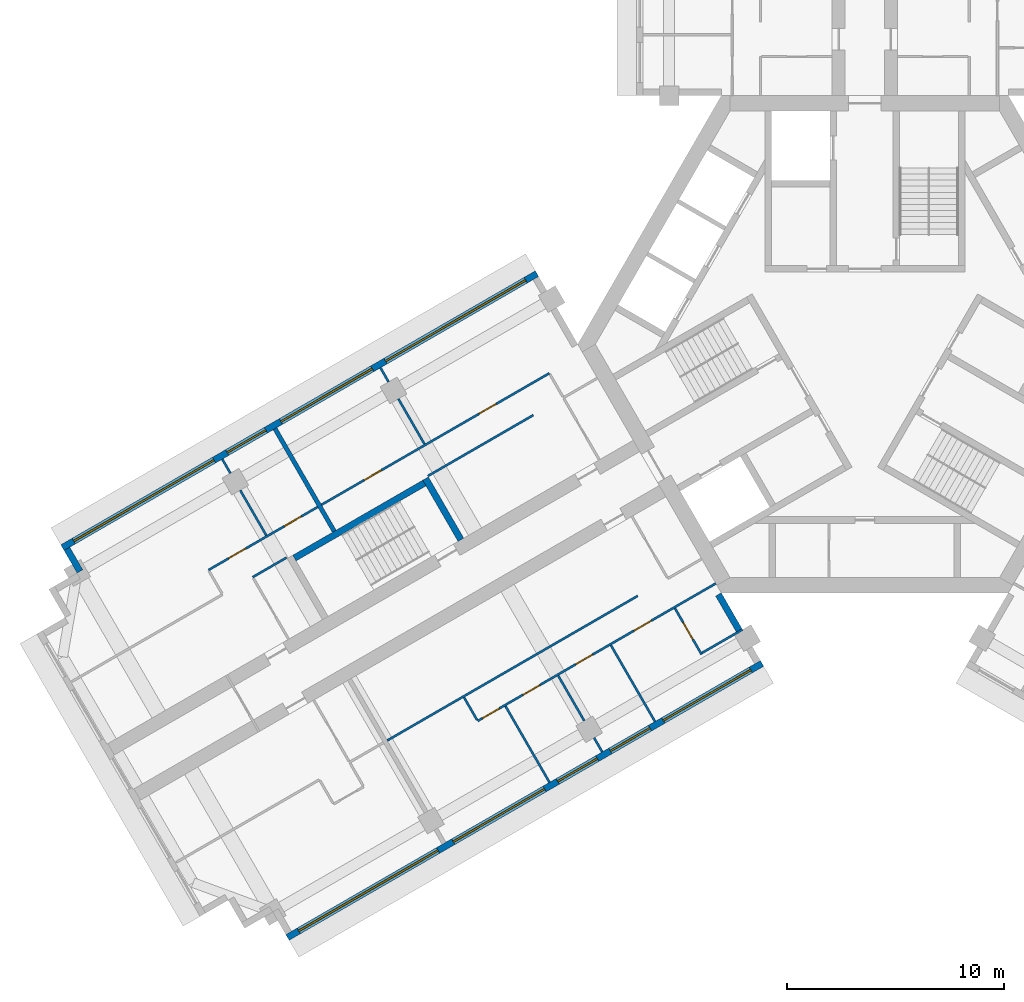
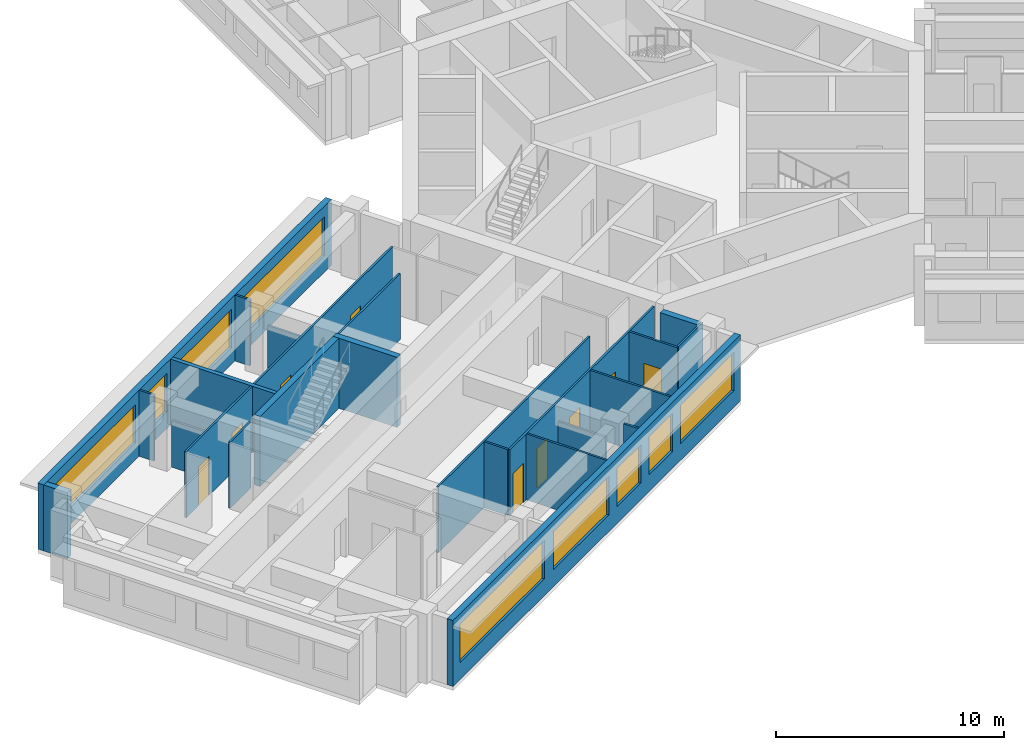
# One storey, part 3 of 10: 24 walls, 9 doors, 9 windows, 18 openings.
"""IFC4 building model written with IfcOpenShell, lengths in metres."""

from ifc_helpers import new_model, si_unit, direction, frame, frame_2d, origin, place, context, subcontext, project, spatial, rectangle, extrude, material, layer, layer_set, type_object, element, fill, save


model = new_model("IFC4")

# Units and contexts
model_context = context("Model", 3, precision=1e-05, world=origin(), true_north=direction((0.0, 1.0)))
body_context = subcontext(model_context, "Body", "Model", "MODEL_VIEW")
ifc_project = project(units=[si_unit("LENGTHUNIT", "METRE"), si_unit("AREAUNIT", "SQUARE_METRE"), si_unit("VOLUMEUNIT", "CUBIC_METRE"), si_unit("PLANEANGLEUNIT", "RADIAN"), si_unit("MASSUNIT", "GRAM", prefix="KILO")], contexts=[model_context])

# Site, building, storey
site_placement = place(None, origin())
site = spatial("IfcSite", under=ifc_project, at=site_placement, CompositionType="ELEMENT")
building_placement = place(site_placement, origin())
building = spatial("IfcBuilding", under=site, at=building_placement, Name="Impinga Residences", CompositionType="ELEMENT")
storey_placement = place(building_placement, frame((0.0, 0.0, 192.25)))
storey = spatial("IfcBuildingStorey", under=building, at=storey_placement, Name="L47", CompositionType="ELEMENT", Elevation=192.25)

# Wall
ifc_material_1 = material(Name="Terracotta rainscreen on blockwork", Category="masonry")
ifc_layer_1 = layer(ifc_material_1, 0.300048828125)
ifc_layer_set_1 = layer_set([ifc_layer_1], Name="EW1 external wall, terracotta rainscreen on blockwork 300")
wall_type_1 = type_object("IfcWallType", Name="EW1 external wall, terracotta rainscreen on blockwork 300", PredefinedType="SOLIDWALL", material=ifc_layer_set_1)
wall_1_placement = place(storey_placement, frame((-36.093994140625, -10.446533203125, 0.0), z_axis=(0.0, 0.0, 1.0), x_axis=(-0.499880961361, 0.866094119867, 0.0)))
element("IfcWall", 1, at=wall_1_placement, inside=storey, type_object=wall_type_1, Name="External wall EW1 L47", PredefinedType="SOLIDWALL", context=body_context, shape_type="SweptSolid", body=[
    extrude(rectangle(XDim=1.199951171875, YDim=0.300048828125, at=frame_2d((0.60009765625, 0.0))), origin(), (0.0, 0.0, 1.0), 3.530029296875),
])

# Wall, openings, windows
wall_2_placement = place(storey_placement, frame((-36.89892578125, -9.352294921875, 0.0), z_axis=(0.0, 0.0, 1.0), x_axis=(0.86602925447, 0.499993330357, 0.0)))
wall_2 = element("IfcWall", 2, at=wall_2_placement, inside=storey, type_object=wall_type_1, Name="External wall EW1 L47", PredefinedType="SOLIDWALL", context=body_context, shape_type="SweptSolid", body=[
    extrude(rectangle(XDim=25.199951171875, YDim=0.300048828125, at=frame_2d((12.60009765625, 0.0))), origin(), (0.0, 0.0, 1.0), 3.530029296875),
])
opening_1_placement = place(wall_2_placement, frame((0.60009765625, 0.0, 0.89990234375)))
opening_1 = element("IfcOpeningElement", 3, at=opening_1_placement, cuts=wall_2, Name="Opening W7", PredefinedType="OPENING", context=body_context, shape_type="SweptSolid", body=[
    extrude(rectangle(XDim=7.449951171875, YDim=2.050048828125, at=frame_2d((3.72509765625, 1.02490234375))), frame((0.0, 0.159912109375, 0.0), z_axis=(0.0, -1.0, 0.0), x_axis=(1.0, 0.0, 0.0)), (0.0, 0.0, 1.0), 0.320068359375),
])
opening_2_placement = place(wall_2_placement, frame((8.75, 0.0, 0.89990234375)))
opening_2 = element("IfcOpeningElement", 4, at=opening_2_placement, cuts=wall_2, Name="Opening W14", PredefinedType="OPENING", context=body_context, shape_type="SweptSolid", body=[
    extrude(rectangle(XDim=2.050048828125, YDim=2.050048828125, at=frame_2d((1.02490234375, 1.02490234375))), frame((0.0, 0.159912109375, 0.0), z_axis=(0.0, -1.0, 0.0), x_axis=(1.0, 0.0, 0.0)), (0.0, 0.0, 1.0), 0.320068359375),
])
opening_3_placement = place(wall_2_placement, frame((11.60009765625, 0.0, 0.89990234375)))
opening_3 = element("IfcOpeningElement", 5, at=opening_3_placement, cuts=wall_2, Name="Opening W6", PredefinedType="OPENING", context=body_context, shape_type="SweptSolid", body=[
    extrude(rectangle(XDim=4.85009765625, YDim=2.050048828125, at=frame_2d((2.425048828125, 1.02490234375))), frame((0.0, 0.159912109375, 0.0), z_axis=(0.0, -1.0, 0.0), x_axis=(1.0, 0.0, 0.0)), (0.0, 0.0, 1.0), 0.320068359375),
])
opening_4_placement = place(wall_2_placement, frame((17.14990234375, 0.0, 0.89990234375)))
opening_4 = element("IfcOpeningElement", 6, at=opening_4_placement, cuts=wall_2, Name="Opening W7", PredefinedType="OPENING", context=body_context, shape_type="SweptSolid", body=[
    extrude(rectangle(XDim=7.449951171875, YDim=2.050048828125, at=frame_2d((3.72509765625, 1.02490234375))), frame((0.0, 0.159912109375, 0.0), z_axis=(0.0, -1.0, 0.0), x_axis=(1.0, 0.0, 0.0)), (0.0, 0.0, 1.0), 0.320068359375),
])
ifc_material_2 = material(Name="Aluminium window, clear double glazing", Category="aluminium")
window_type_1 = type_object("IfcWindowType", Name="W14 ribbon window 2050x2050", PartitioningType="SINGLE_PANEL", PredefinedType="WINDOW", material=ifc_material_2)
window_1_placement = place(opening_2_placement, origin())
window_1 = element("IfcWindow", 7, at=window_1_placement, inside=storey, type_object=window_type_1, Name="Window L47", OverallHeight=2.050048828125, OverallWidth=2.050048828125, PartitioningType="SINGLE_PANEL", PredefinedType="WINDOW", context=body_context, shape_type="SweptSolid", body=[
    extrude(rectangle(XDim=2.050048828125, YDim=2.050048828125, at=frame_2d((1.02490234375, 1.02490234375))), frame((0.0, 0.030029296875, 0.0), z_axis=(0.0, -1.0, 0.0), x_axis=(1.0, 0.0, 0.0)), (0.0, 0.0, 1.0), 0.06005859375),
])
fill(opening_2, window_1)
window_type_2 = type_object("IfcWindowType", Name="W6 ribbon window 4850x2050", PartitioningType="SINGLE_PANEL", PredefinedType="WINDOW", material=ifc_material_2)
window_2_placement = place(opening_3_placement, origin())
window_2 = element("IfcWindow", 8, at=window_2_placement, inside=storey, type_object=window_type_2, Name="Window L47", OverallHeight=2.050048828125, OverallWidth=4.85009765625, PartitioningType="SINGLE_PANEL", PredefinedType="WINDOW", context=body_context, shape_type="SweptSolid", body=[
    extrude(rectangle(XDim=4.85009765625, YDim=2.050048828125, at=frame_2d((2.425048828125, 1.02490234375))), frame((0.0, 0.030029296875, 0.0), z_axis=(0.0, -1.0, 0.0), x_axis=(1.0, 0.0, 0.0)), (0.0, 0.0, 1.0), 0.06005859375),
])
fill(opening_3, window_2)
window_type_3 = type_object("IfcWindowType", Name="W7 ribbon window 7450x2050", PartitioningType="SINGLE_PANEL", PredefinedType="WINDOW", material=ifc_material_2)
window_3_placement = place(opening_1_placement, origin())
window_3 = element("IfcWindow", 9, at=window_3_placement, inside=storey, type_object=window_type_3, Name="Window L47", OverallHeight=2.050048828125, OverallWidth=7.449951171875, PartitioningType="SINGLE_PANEL", PredefinedType="WINDOW", context=body_context, shape_type="SweptSolid", body=[
    extrude(rectangle(XDim=7.449951171875, YDim=2.050048828125, at=frame_2d((3.72509765625, 1.02490234375))), frame((0.0, 0.030029296875, 0.0), z_axis=(0.0, -1.0, 0.0), x_axis=(1.0, 0.0, 0.0)), (0.0, 0.0, 1.0), 0.06005859375),
])
fill(opening_1, window_3)
window_4_placement = place(opening_4_placement, origin())
window_4 = element("IfcWindow", 10, at=window_4_placement, inside=storey, type_object=window_type_3, Name="Window L47", OverallHeight=2.050048828125, OverallWidth=7.449951171875, PartitioningType="SINGLE_PANEL", PredefinedType="WINDOW", context=body_context, shape_type="SweptSolid", body=[
    extrude(rectangle(XDim=7.449951171875, YDim=2.050048828125, at=frame_2d((3.72509765625, 1.02490234375))), frame((0.0, 0.030029296875, 0.0), z_axis=(0.0, -1.0, 0.0), x_axis=(1.0, 0.0, 0.0)), (0.0, 0.0, 1.0), 0.06005859375),
])
fill(opening_4, window_4)

# Wall
wall_3_placement = place(storey_placement, frame((-6.72998046875, -11.506591796875, 0.0), z_axis=(0.0, 0.0, 1.0), x_axis=(0.500043961785, -0.866000020948, 0.0)))
element("IfcWall", 11, at=wall_3_placement, inside=storey, type_object=wall_type_1, Name="External wall EW1 L47", PredefinedType="SOLIDWALL", context=body_context, shape_type="SweptSolid", body=[
    extrude(rectangle(XDim=1.949951171875, YDim=0.300048828125, at=frame_2d((0.97509765625, 0.0))), origin(), (0.0, 0.0, 1.0), 3.530029296875),
])

# Wall, openings, windows
wall_4_placement = place(storey_placement, frame((-4.72509765625, -14.67919921875, 0.0), z_axis=(0.0, 0.0, 1.0), x_axis=(-0.866026832479, -0.499997525421, 0.0)))
wall_4 = element("IfcWall", 12, at=wall_4_placement, inside=storey, type_object=wall_type_1, Name="External wall EW1 L47", PredefinedType="SOLIDWALL", context=body_context, shape_type="SweptSolid", body=[
    extrude(rectangle(XDim=25.199951171875, YDim=0.300048828125, at=frame_2d((12.60009765625, 0.0))), origin(), (0.0, 0.0, 1.0), 3.530029296875),
])
opening_5_placement = place(wall_4_placement, frame((0.60009765625, 0.0, 0.89990234375)))
opening_5 = element("IfcOpeningElement", 13, at=opening_5_placement, cuts=wall_4, Name="Opening W10", PredefinedType="OPENING", context=body_context, shape_type="SweptSolid", body=[
    extrude(rectangle(XDim=4.64990234375, YDim=2.050048828125, at=frame_2d((2.324951171875, 1.02490234375))), frame((0.0, 0.159912109375, 0.0), z_axis=(0.0, -1.0, 0.0), x_axis=(1.0, 0.0, 0.0)), (0.0, 0.0, 1.0), 0.320068359375),
])
opening_6_placement = place(wall_4_placement, frame((5.949951171875, 0.0, 0.89990234375)))
opening_6 = element("IfcOpeningElement", 14, at=opening_6_placement, cuts=wall_4, Name="Opening W9", PredefinedType="OPENING", context=body_context, shape_type="SweptSolid", body=[
    extrude(rectangle(XDim=2.10009765625, YDim=2.050048828125, at=frame_2d((1.050048828125, 1.02490234375))), frame((0.0, 0.159912109375, 0.0), z_axis=(0.0, -1.0, 0.0), x_axis=(1.0, 0.0, 0.0)), (0.0, 0.0, 1.0), 0.320068359375),
])
opening_7_placement = place(wall_4_placement, frame((8.75, 0.0, 0.89990234375)))
opening_7 = element("IfcOpeningElement", 15, at=opening_7_placement, cuts=wall_4, Name="Opening W9", PredefinedType="OPENING", context=body_context, shape_type="SweptSolid", body=[
    extrude(rectangle(XDim=2.10009765625, YDim=2.050048828125, at=frame_2d((1.050048828125, 1.02490234375))), frame((0.0, 0.159912109375, 0.0), z_axis=(0.0, -1.0, 0.0), x_axis=(1.0, 0.0, 0.0)), (0.0, 0.0, 1.0), 0.320068359375),
])
opening_8_placement = place(wall_4_placement, frame((11.550048828125, 0.0, 0.89990234375)))
opening_8 = element("IfcOpeningElement", 16, at=opening_8_placement, cuts=wall_4, Name="Opening W6", PredefinedType="OPENING", context=body_context, shape_type="SweptSolid", body=[
    extrude(rectangle(XDim=4.85009765625, YDim=2.050048828125, at=frame_2d((2.425048828125, 1.02490234375))), frame((0.0, 0.159912109375, 0.0), z_axis=(0.0, -1.0, 0.0), x_axis=(1.0, 0.0, 0.0)), (0.0, 0.0, 1.0), 0.320068359375),
])
opening_9_placement = place(wall_4_placement, frame((17.199951171875, 0.0, 0.89990234375)))
opening_9 = element("IfcOpeningElement", 17, at=opening_9_placement, cuts=wall_4, Name="Opening W12", PredefinedType="OPENING", context=body_context, shape_type="SweptSolid", body=[
    extrude(rectangle(XDim=7.39990234375, YDim=2.050048828125, at=frame_2d((3.699951171875, 1.02490234375))), frame((0.0, 0.159912109375, 0.0), z_axis=(0.0, -1.0, 0.0), x_axis=(1.0, 0.0, 0.0)), (0.0, 0.0, 1.0), 0.320068359375),
])
window_type_4 = type_object("IfcWindowType", Name="W10 ribbon window 4650x2050", PartitioningType="SINGLE_PANEL", PredefinedType="WINDOW", material=ifc_material_2)
window_5_placement = place(opening_5_placement, origin())
window_5 = element("IfcWindow", 18, at=window_5_placement, inside=storey, type_object=window_type_4, Name="Window L47", OverallHeight=2.050048828125, OverallWidth=4.64990234375, PartitioningType="SINGLE_PANEL", PredefinedType="WINDOW", context=body_context, shape_type="SweptSolid", body=[
    extrude(rectangle(XDim=4.64990234375, YDim=2.050048828125, at=frame_2d((2.324951171875, 1.02490234375))), frame((0.0, 0.030029296875, 0.0), z_axis=(0.0, -1.0, 0.0), x_axis=(1.0, 0.0, 0.0)), (0.0, 0.0, 1.0), 0.06005859375),
])
fill(opening_5, window_5)
window_type_5 = type_object("IfcWindowType", Name="W12 ribbon window 7400x2050", PartitioningType="SINGLE_PANEL", PredefinedType="WINDOW", material=ifc_material_2)
window_6_placement = place(opening_9_placement, origin())
window_6 = element("IfcWindow", 19, at=window_6_placement, inside=storey, type_object=window_type_5, Name="Window L47", OverallHeight=2.050048828125, OverallWidth=7.39990234375, PartitioningType="SINGLE_PANEL", PredefinedType="WINDOW", context=body_context, shape_type="SweptSolid", body=[
    extrude(rectangle(XDim=7.39990234375, YDim=2.050048828125, at=frame_2d((3.699951171875, 1.02490234375))), frame((0.0, 0.030029296875, 0.0), z_axis=(0.0, -1.0, 0.0), x_axis=(1.0, 0.0, 0.0)), (0.0, 0.0, 1.0), 0.06005859375),
])
fill(opening_9, window_6)
window_7_placement = place(opening_8_placement, origin())
window_7 = element("IfcWindow", 20, at=window_7_placement, inside=storey, type_object=window_type_2, Name="Window L47", OverallHeight=2.050048828125, OverallWidth=4.85009765625, PartitioningType="SINGLE_PANEL", PredefinedType="WINDOW", context=body_context, shape_type="SweptSolid", body=[
    extrude(rectangle(XDim=4.85009765625, YDim=2.050048828125, at=frame_2d((2.425048828125, 1.02490234375))), frame((0.0, 0.030029296875, 0.0), z_axis=(0.0, -1.0, 0.0), x_axis=(1.0, 0.0, 0.0)), (0.0, 0.0, 1.0), 0.06005859375),
])
fill(opening_8, window_7)
window_type_6 = type_object("IfcWindowType", Name="W9 ribbon window 2100x2050", PartitioningType="SINGLE_PANEL", PredefinedType="WINDOW", material=ifc_material_2)
window_8_placement = place(opening_6_placement, origin())
window_8 = element("IfcWindow", 21, at=window_8_placement, inside=storey, type_object=window_type_6, Name="Window L47", OverallHeight=2.050048828125, OverallWidth=2.10009765625, PartitioningType="SINGLE_PANEL", PredefinedType="WINDOW", context=body_context, shape_type="SweptSolid", body=[
    extrude(rectangle(XDim=2.10009765625, YDim=2.050048828125, at=frame_2d((1.050048828125, 1.02490234375))), frame((0.0, 0.030029296875, 0.0), z_axis=(0.0, -1.0, 0.0), x_axis=(1.0, 0.0, 0.0)), (0.0, 0.0, 1.0), 0.06005859375),
])
fill(opening_6, window_8)
window_9_placement = place(opening_7_placement, origin())
window_9 = element("IfcWindow", 22, at=window_9_placement, inside=storey, type_object=window_type_6, Name="Window L47", OverallHeight=2.050048828125, OverallWidth=2.10009765625, PartitioningType="SINGLE_PANEL", PredefinedType="WINDOW", context=body_context, shape_type="SweptSolid", body=[
    extrude(rectangle(XDim=2.10009765625, YDim=2.050048828125, at=frame_2d((1.050048828125, 1.02490234375))), frame((0.0, 0.030029296875, 0.0), z_axis=(0.0, -1.0, 0.0), x_axis=(1.0, 0.0, 0.0)), (0.0, 0.0, 1.0), 0.06005859375),
])
fill(opening_7, window_9)

# Wall
ifc_material_3 = material(Name="Gypsum board on steel studs", Category="steel")
ifc_layer_2 = layer(ifc_material_3, 0.10009765625)
ifc_layer_set_2 = layer_set([ifc_layer_2], Name="Gypsum board on steel studs")
wall_type_2 = type_object("IfcWallType", Name="IP1 partition 100", PredefinedType="PARTITIONING", material=ifc_layer_set_2)
wall_5_placement = place(storey_placement, frame((-10.444580078125, -11.57275390625, 0.0), z_axis=(0.0, 0.0, 1.0), x_axis=(-0.866027239912, -0.49999681972, 0.0)))
element("IfcWall", 23, at=wall_5_placement, inside=storey, type_object=wall_type_2, Name="Partition L47-WA1:DIV1", PredefinedType="PARTITIONING", context=body_context, shape_type="SweptSolid", body=[
    extrude(rectangle(XDim=13.2998046875, YDim=0.10009765625, at=frame_2d((6.64990234375, 0.0))), origin(), (0.0, 0.0, 1.0), 3.530029296875),
])

# Wall, openings, doors
wall_6_placement = place(storey_placement, frame((-6.85009765625, -10.99853515625, 0.0), z_axis=(0.0, 0.0, 1.0), x_axis=(-0.866024244478, -0.500002007972, 0.0)))
wall_6 = element("IfcWall", 24, at=wall_6_placement, inside=storey, type_object=wall_type_2, Name="Partition L47-WA1:STRIP", PredefinedType="PARTITIONING", context=body_context, shape_type="SweptSolid", body=[
    extrude(rectangle(XDim=12.64990234375, YDim=0.10009765625, at=frame_2d((6.324951171875, 0.0))), origin(), (0.0, 0.0, 1.0), 3.530029296875),
])
opening_10_placement = place(wall_6_placement, frame((3.449951171875, 0.0, 0.0)))
opening_10 = element("IfcOpeningElement", 25, at=opening_10_placement, cuts=wall_6, Name="Opening D2", PredefinedType="OPENING", context=body_context, shape_type="SweptSolid", body=[
    extrude(rectangle(XDim=0.89990234375, YDim=2.10009765625, at=frame_2d((0.449951171875, 1.050048828125))), frame((0.0, 0.06005859375, 0.0), z_axis=(0.0, -1.0, 0.0), x_axis=(1.0, 0.0, 0.0)), (0.0, 0.0, 1.0), 0.1201171875),
])
opening_11_placement = place(wall_6_placement, frame((6.550048828125, 0.0, 0.0)))
opening_11 = element("IfcOpeningElement", 26, at=opening_11_placement, cuts=wall_6, Name="Opening D2", PredefinedType="OPENING", context=body_context, shape_type="SweptSolid", body=[
    extrude(rectangle(XDim=0.89990234375, YDim=2.10009765625, at=frame_2d((0.449951171875, 1.050048828125))), frame((0.0, 0.06005859375, 0.0), z_axis=(0.0, -1.0, 0.0), x_axis=(1.0, 0.0, 0.0)), (0.0, 0.0, 1.0), 0.1201171875),
])
opening_12_placement = place(wall_6_placement, frame((9.35009765625, 0.0, 0.0)))
opening_12 = element("IfcOpeningElement", 27, at=opening_12_placement, cuts=wall_6, Name="Opening D2", PredefinedType="OPENING", context=body_context, shape_type="SweptSolid", body=[
    extrude(rectangle(XDim=0.89990234375, YDim=2.10009765625, at=frame_2d((0.449951171875, 1.050048828125))), frame((0.0, 0.06005859375, 0.0), z_axis=(0.0, -1.0, 0.0), x_axis=(1.0, 0.0, 0.0)), (0.0, 0.0, 1.0), 0.1201171875),
])
opening_13_placement = place(wall_6_placement, frame((11.5, 0.0, 0.0)))
opening_13 = element("IfcOpeningElement", 28, at=opening_13_placement, cuts=wall_6, Name="Opening D2", PredefinedType="OPENING", context=body_context, shape_type="SweptSolid", body=[
    extrude(rectangle(XDim=0.89990234375, YDim=2.10009765625, at=frame_2d((0.449951171875, 1.050048828125))), frame((0.0, 0.06005859375, 0.0), z_axis=(0.0, -1.0, 0.0), x_axis=(1.0, 0.0, 0.0)), (0.0, 0.0, 1.0), 0.1201171875),
])
ifc_material_4 = material(Name="Timber door set", Category="wood")
door_type = type_object("IfcDoorType", Name="D2 internal door 900x2100", OperationType="SINGLE_SWING_LEFT", PredefinedType="DOOR", material=ifc_material_4)
door_1_placement = place(opening_10_placement, origin())
door_1 = element("IfcDoor", 29, at=door_1_placement, inside=storey, type_object=door_type, Name="Apartment L47-WA1 room door", OperationType="SINGLE_SWING_LEFT", OverallHeight=2.10009765625, OverallWidth=0.89990234375, PredefinedType="DOOR", context=body_context, shape_type="SweptSolid", body=[
    extrude(rectangle(XDim=0.89990234375, YDim=2.10009765625, at=frame_2d((0.449951171875, 1.050048828125))), frame((0.0, 0.02490234375, 0.0), z_axis=(0.0, -1.0, 0.0), x_axis=(1.0, 0.0, 0.0)), (0.0, 0.0, 1.0), 0.050048828125),
])
fill(opening_10, door_1)
door_2_placement = place(opening_11_placement, origin())
door_2 = element("IfcDoor", 30, at=door_2_placement, inside=storey, type_object=door_type, Name="Apartment L47-WA1 room door", OperationType="SINGLE_SWING_RIGHT", OverallHeight=2.10009765625, OverallWidth=0.89990234375, PredefinedType="DOOR", context=body_context, shape_type="SweptSolid", body=[
    extrude(rectangle(XDim=0.89990234375, YDim=2.10009765625, at=frame_2d((0.449951171875, 1.050048828125))), frame((0.0, 0.02490234375, 0.0), z_axis=(0.0, -1.0, 0.0), x_axis=(1.0, 0.0, 0.0)), (0.0, 0.0, 1.0), 0.050048828125),
])
fill(opening_11, door_2)
door_3_placement = place(opening_12_placement, origin())
door_3 = element("IfcDoor", 31, at=door_3_placement, inside=storey, type_object=door_type, Name="Apartment L47-WA1 room door", OperationType="SINGLE_SWING_RIGHT", OverallHeight=2.10009765625, OverallWidth=0.89990234375, PredefinedType="DOOR", context=body_context, shape_type="SweptSolid", body=[
    extrude(rectangle(XDim=0.89990234375, YDim=2.10009765625, at=frame_2d((0.449951171875, 1.050048828125))), frame((0.0, 0.02490234375, 0.0), z_axis=(0.0, -1.0, 0.0), x_axis=(1.0, 0.0, 0.0)), (0.0, 0.0, 1.0), 0.050048828125),
])
fill(opening_12, door_3)
door_4_placement = place(opening_13_placement, origin())
door_4 = element("IfcDoor", 32, at=door_4_placement, inside=storey, type_object=door_type, Name="Apartment L47-WA1 room door", OperationType="SINGLE_SWING_RIGHT", OverallHeight=2.10009765625, OverallWidth=0.89990234375, PredefinedType="DOOR", context=body_context, shape_type="SweptSolid", body=[
    extrude(rectangle(XDim=0.89990234375, YDim=2.10009765625, at=frame_2d((0.449951171875, 1.050048828125))), frame((0.0, 0.02490234375, 0.0), z_axis=(0.0, -1.0, 0.0), x_axis=(1.0, 0.0, 0.0)), (0.0, 0.0, 1.0), 0.050048828125),
])
fill(opening_13, door_4)

# Walls
wall_7_placement = place(storey_placement, frame((-18.43017578125, -16.240966796875, 0.0), z_axis=(0.0, 0.0, 1.0), x_axis=(0.499880961361, -0.866094119867, 0.0)))
element("IfcWall", 33, at=wall_7_placement, inside=storey, type_object=wall_type_2, Name="Partition L47-WA1:SE1", PredefinedType="PARTITIONING", context=body_context, shape_type="SweptSolid", body=[
    extrude(rectangle(XDim=1.199951171875, YDim=0.10009765625, at=frame_2d((0.60009765625, 0.0))), origin(), (0.0, 0.0, 1.0), 3.530029296875),
])
wall_8_placement = place(storey_placement, frame((-11.6748046875, -13.841796875, 0.0), z_axis=(0.0, 0.0, 1.0), x_axis=(0.500035537042, -0.866004885491, 0.0)))
element("IfcWall", 34, at=wall_8_placement, inside=storey, type_object=wall_type_2, Name="Partition L47-WA1:OB1", PredefinedType="PARTITIONING", context=body_context, shape_type="SweptSolid", body=[
    extrude(rectangle(XDim=4.050048828125, YDim=0.10009765625, at=frame_2d((2.02490234375, 0.0))), origin(), (0.0, 0.0, 1.0), 3.530029296875),
])
wall_9_placement = place(storey_placement, frame((-14.099609375, -15.241943359375, 0.0), z_axis=(0.0, 0.0, 1.0), x_axis=(0.500001309137, -0.866024647952, 0.0)))
element("IfcWall", 35, at=wall_9_placement, inside=storey, type_object=wall_type_2, Name="Partition L47-WA1:OB2", PredefinedType="PARTITIONING", context=body_context, shape_type="SweptSolid", body=[
    extrude(rectangle(XDim=2.39990234375, YDim=0.10009765625, at=frame_2d((1.199951171875, 0.0))), origin(), (0.0, 0.0, 1.0), 2.47998046875),
])
wall_10_placement = place(storey_placement, frame((-12.44970703125, -18.099609375, 0.0), z_axis=(0.0, 0.0, 1.0), x_axis=(0.499919672301, -0.866071776036, 0.0)))
element("IfcWall", 36, at=wall_10_placement, inside=storey, type_object=wall_type_2, Name="Partition L47-WA1:OB2b", PredefinedType="PARTITIONING", context=body_context, shape_type="SweptSolid", body=[
    extrude(rectangle(XDim=0.75, YDim=0.10009765625, at=frame_2d((0.375, 0.0))), origin(), (0.0, 0.0, 1.0), 3.530029296875),
])
wall_11_placement = place(storey_placement, frame((-16.5244140625, -16.641845703125, 0.0), z_axis=(0.0, 0.0, 1.0), x_axis=(0.499990325971, -0.866030989016, 0.0)))
element("IfcWall", 37, at=wall_11_placement, inside=storey, type_object=wall_type_2, Name="Partition L47-WA1:OB3", PredefinedType="PARTITIONING", context=body_context, shape_type="SweptSolid", body=[
    extrude(rectangle(XDim=4.0498046875, YDim=0.10009765625, at=frame_2d((2.02490234375, 0.0))), origin(), (0.0, 0.0, 1.0), 3.530029296875),
])

# Wall, opening, door
wall_12_placement = place(storey_placement, frame((-8.730224609375, -12.141845703125, 0.0), z_axis=(0.0, 0.0, 1.0), x_axis=(0.499943856944, -0.866057815567, 0.0)))
wall_12 = element("IfcWall", 38, at=wall_12_placement, inside=storey, type_object=wall_type_2, Name="Partition L47-WA1:EN1", PredefinedType="PARTITIONING", context=body_context, shape_type="SweptSolid", body=[
    extrude(rectangle(XDim=2.449951171875, YDim=0.10009765625, at=frame_2d((1.22509765625, 0.0))), origin(), (0.0, 0.0, 1.0), 3.530029296875),
])
opening_14_placement = place(wall_12_placement, frame((0.75, 0.0, 0.0)))
opening_14 = element("IfcOpeningElement", 39, at=opening_14_placement, cuts=wall_12, Name="Opening D2", PredefinedType="OPENING", context=body_context, shape_type="SweptSolid", body=[
    extrude(rectangle(XDim=0.89990234375, YDim=2.10009765625, at=frame_2d((0.449951171875, 1.050048828125))), frame((0.0, 0.06005859375, 0.0), z_axis=(0.0, -1.0, 0.0), x_axis=(1.0, 0.0, 0.0)), (0.0, 0.0, 1.0), 0.1201171875),
])
door_5_placement = place(opening_14_placement, origin())
door_5 = element("IfcDoor", 40, at=door_5_placement, inside=storey, type_object=door_type, Name="Apartment L47-WA1 en-suite door", OperationType="SINGLE_SWING_LEFT", OverallHeight=2.10009765625, OverallWidth=0.89990234375, PredefinedType="DOOR", context=body_context, shape_type="SweptSolid", body=[
    extrude(rectangle(XDim=0.89990234375, YDim=2.10009765625, at=frame_2d((0.449951171875, 1.050048828125))), frame((0.0, 0.02490234375, 0.0), z_axis=(0.0, -1.0, 0.0), x_axis=(1.0, 0.0, 0.0)), (0.0, 0.0, 1.0), 0.050048828125),
])
fill(opening_14, door_5)

# Walls
wall_13_placement = place(storey_placement, frame((-5.625, -13.120361328125, 0.0), z_axis=(0.0, 0.0, 1.0), x_axis=(-0.866047553582, -0.499961633463, 0.0)))
element("IfcWall", 41, at=wall_13_placement, inside=storey, type_object=wall_type_2, Name="Partition L47-WA1:EN2", PredefinedType="PARTITIONING", context=body_context, shape_type="SweptSolid", body=[
    extrude(rectangle(XDim=2.150146484375, YDim=0.10009765625, at=frame_2d((1.0751953125, 0.0))), origin(), (0.0, 0.0, 1.0), 3.530029296875),
])
wall_14_placement = place(storey_placement, frame((-15.244384765625, -3.2587890625, 0.0), z_axis=(0.0, 0.0, 1.0), x_axis=(-0.866026594901, -0.49999793692, 0.0)))
element("IfcWall", 42, at=wall_14_placement, inside=storey, type_object=wall_type_2, Name="Partition L47-WF1:DIV1", PredefinedType="PARTITIONING", context=body_context, shape_type="SweptSolid", body=[
    extrude(rectangle(XDim=5.60009765625, YDim=0.10009765625, at=frame_2d((2.800048828125, 0.0))), origin(), (0.0, 0.0, 1.0), 3.530029296875),
])

# Wall, openings, doors
wall_15_placement = place(storey_placement, frame((-14.5087890625, -1.3330078125, 0.0), z_axis=(0.0, 0.0, 1.0), x_axis=(-0.866025650635, -0.499999572443, 0.0)))
wall_15 = element("IfcWall", 43, at=wall_15_placement, inside=storey, type_object=wall_type_2, Name="Partition L47-WF1:STRIP", PredefinedType="PARTITIONING", context=body_context, shape_type="SweptSolid", body=[
    extrude(rectangle(XDim=12.10009765625, YDim=0.10009765625, at=frame_2d((6.050048828125, 0.0))), origin(), (0.0, 0.0, 1.0), 3.530029296875),
])
opening_15_placement = place(wall_15_placement, frame((2.824951171875, 0.0, 0.0)))
opening_15 = element("IfcOpeningElement", 44, at=opening_15_placement, cuts=wall_15, Name="Opening D2", PredefinedType="OPENING", context=body_context, shape_type="SweptSolid", body=[
    extrude(rectangle(XDim=0.89990234375, YDim=2.10009765625, at=frame_2d((0.449951171875, 1.050048828125))), frame((0.0, 0.06005859375, 0.0), z_axis=(0.0, -1.0, 0.0), x_axis=(1.0, 0.0, 0.0)), (0.0, 0.0, 1.0), 0.1201171875),
])
opening_16_placement = place(wall_15_placement, frame((8.925048828125, 0.0, 0.0)))
opening_16 = element("IfcOpeningElement", 45, at=opening_16_placement, cuts=wall_15, Name="Opening D2", PredefinedType="OPENING", context=body_context, shape_type="SweptSolid", body=[
    extrude(rectangle(XDim=0.89990234375, YDim=2.10009765625, at=frame_2d((0.449951171875, 1.050048828125))), frame((0.0, 0.06005859375, 0.0), z_axis=(0.0, -1.0, 0.0), x_axis=(1.0, 0.0, 0.0)), (0.0, 0.0, 1.0), 0.1201171875),
])
door_6_placement = place(opening_15_placement, origin())
door_6 = element("IfcDoor", 46, at=door_6_placement, inside=storey, type_object=door_type, Name="Apartment L47-WF1 room door", OperationType="SINGLE_SWING_LEFT", OverallHeight=2.10009765625, OverallWidth=0.89990234375, PredefinedType="DOOR", context=body_context, shape_type="SweptSolid", body=[
    extrude(rectangle(XDim=0.89990234375, YDim=2.10009765625, at=frame_2d((0.449951171875, 1.050048828125))), frame((0.0, 0.02490234375, 0.0), z_axis=(0.0, -1.0, 0.0), x_axis=(1.0, 0.0, 0.0)), (0.0, 0.0, 1.0), 0.050048828125),
])
fill(opening_15, door_6)
door_7_placement = place(opening_16_placement, origin())
door_7 = element("IfcDoor", 47, at=door_7_placement, inside=storey, type_object=door_type, Name="Apartment L47-WF1 room door", OperationType="SINGLE_SWING_RIGHT", OverallHeight=2.10009765625, OverallWidth=0.89990234375, PredefinedType="DOOR", context=body_context, shape_type="SweptSolid", body=[
    extrude(rectangle(XDim=0.89990234375, YDim=2.10009765625, at=frame_2d((0.449951171875, 1.050048828125))), frame((0.0, 0.02490234375, 0.0), z_axis=(0.0, -1.0, 0.0), x_axis=(1.0, 0.0, 0.0)), (0.0, 0.0, 1.0), 0.050048828125),
])
fill(opening_16, door_7)

# Walls
wall_16_placement = place(storey_placement, frame((-20.24951171875, -4.589599609375, 0.0), z_axis=(0.0, 0.0, 1.0), x_axis=(-0.500077600433, 0.865980596518, 0.0)))
element("IfcWall", 48, at=wall_16_placement, inside=storey, type_object=wall_type_2, Name="Partition L47-WF1:OB1", PredefinedType="PARTITIONING", context=body_context, shape_type="SweptSolid", body=[
    extrude(rectangle(XDim=2.39990234375, YDim=0.10009765625, at=frame_2d((1.199951171875, 0.0))), origin(), (0.0, 0.0, 1.0), 2.47998046875),
])
wall_17_placement = place(storey_placement, frame((-21.899658203125, -1.73193359375, 0.0), z_axis=(0.0, 0.0, 1.0), x_axis=(-0.499919672301, 0.866071776036, 0.0)))
element("IfcWall", 49, at=wall_17_placement, inside=storey, type_object=wall_type_2, Name="Partition L47-WF1:OB1b", PredefinedType="PARTITIONING", context=body_context, shape_type="SweptSolid", body=[
    extrude(rectangle(XDim=0.75, YDim=0.10009765625, at=frame_2d((0.375, 0.0))), origin(), (0.0, 0.0, 1.0), 3.530029296875),
])
wall_18_placement = place(storey_placement, frame((-26.58935546875, -9.808837890625, 0.0), z_axis=(0.0, 0.0, 1.0), x_axis=(-0.866047807691, -0.499961193289, 0.0)))
element("IfcWall", 50, at=wall_18_placement, inside=storey, type_object=wall_type_2, Name="Partition L47-WF2:DIV0", PredefinedType="PARTITIONING", context=body_context, shape_type="SweptSolid", body=[
    extrude(rectangle(XDim=1.800048828125, YDim=0.10009765625, at=frame_2d((0.89990234375, 0.0))), origin(), (0.0, 0.0, 1.0), 3.530029296875),
])

# Wall, openings, doors
wall_19_placement = place(storey_placement, frame((-25.160888671875, -7.48291015625, 0.0), z_axis=(0.0, 0.0, 1.0), x_axis=(-0.86601454848, -0.500018801468, 0.0)))
wall_19 = element("IfcWall", 51, at=wall_19_placement, inside=storey, type_object=wall_type_2, Name="Partition L47-WF2:STRIP", PredefinedType="PARTITIONING", context=body_context, shape_type="SweptSolid", body=[
    extrude(rectangle(XDim=5.800048828125, YDim=0.10009765625, at=frame_2d((2.89990234375, 0.0))), origin(), (0.0, 0.0, 1.0), 3.530029296875),
])
opening_17_placement = place(wall_19_placement, frame((0.875, 0.0, 0.0)))
opening_17 = element("IfcOpeningElement", 52, at=opening_17_placement, cuts=wall_19, Name="Opening D2", PredefinedType="OPENING", context=body_context, shape_type="SweptSolid", body=[
    extrude(rectangle(XDim=0.89990234375, YDim=2.10009765625, at=frame_2d((0.449951171875, 1.050048828125))), frame((0.0, 0.06005859375, 0.0), z_axis=(0.0, -1.0, 0.0), x_axis=(1.0, 0.0, 0.0)), (0.0, 0.0, 1.0), 0.1201171875),
])
opening_18_placement = place(wall_19_placement, frame((3.824951171875, 0.0, 0.0)))
opening_18 = element("IfcOpeningElement", 53, at=opening_18_placement, cuts=wall_19, Name="Opening D2", PredefinedType="OPENING", context=body_context, shape_type="SweptSolid", body=[
    extrude(rectangle(XDim=0.89990234375, YDim=2.10009765625, at=frame_2d((0.449951171875, 1.050048828125))), frame((0.0, 0.06005859375, 0.0), z_axis=(0.0, -1.0, 0.0), x_axis=(1.0, 0.0, 0.0)), (0.0, 0.0, 1.0), 0.1201171875),
])
door_8_placement = place(opening_17_placement, origin())
door_8 = element("IfcDoor", 54, at=door_8_placement, inside=storey, type_object=door_type, Name="Apartment L47-WF2 room door", OperationType="SINGLE_SWING_LEFT", OverallHeight=2.10009765625, OverallWidth=0.89990234375, PredefinedType="DOOR", context=body_context, shape_type="SweptSolid", body=[
    extrude(rectangle(XDim=0.89990234375, YDim=2.10009765625, at=frame_2d((0.449951171875, 1.050048828125))), frame((0.0, 0.02490234375, 0.0), z_axis=(0.0, -1.0, 0.0), x_axis=(1.0, 0.0, 0.0)), (0.0, 0.0, 1.0), 0.050048828125),
])
fill(opening_17, door_8)
door_9_placement = place(opening_18_placement, origin())
door_9 = element("IfcDoor", 55, at=door_9_placement, inside=storey, type_object=door_type, Name="Apartment L47-WF2 room door", OperationType="SINGLE_SWING_RIGHT", OverallHeight=2.10009765625, OverallWidth=0.89990234375, PredefinedType="DOOR", context=body_context, shape_type="SweptSolid", body=[
    extrude(rectangle(XDim=0.89990234375, YDim=2.10009765625, at=frame_2d((0.449951171875, 1.050048828125))), frame((0.0, 0.02490234375, 0.0), z_axis=(0.0, -1.0, 0.0), x_axis=(1.0, 0.0, 0.0)), (0.0, 0.0, 1.0), 0.050048828125),
])
fill(opening_18, door_9)

# Walls
wall_20_placement = place(storey_placement, frame((-27.524169921875, -8.789794921875, 0.0), z_axis=(0.0, 0.0, 1.0), x_axis=(-0.499957262057, 0.866050077142, 0.0)))
element("IfcWall", 56, at=wall_20_placement, inside=storey, type_object=wall_type_2, Name="Partition L47-WF2:OB1", PredefinedType="PARTITIONING", context=body_context, shape_type="SweptSolid", body=[
    extrude(rectangle(XDim=2.400146484375, YDim=0.10009765625, at=frame_2d((1.2001953125, 0.0))), origin(), (0.0, 0.0, 1.0), 2.47998046875),
])
wall_21_placement = place(storey_placement, frame((-29.17431640625, -5.931884765625, 0.0), z_axis=(0.0, 0.0, 1.0), x_axis=(-0.499919672301, 0.866071776036, 0.0)))
element("IfcWall", 57, at=wall_21_placement, inside=storey, type_object=wall_type_2, Name="Partition L47-WF2:OB1b", PredefinedType="PARTITIONING", context=body_context, shape_type="SweptSolid", body=[
    extrude(rectangle(XDim=0.75, YDim=0.10009765625, at=frame_2d((0.375, 0.0))), origin(), (0.0, 0.0, 1.0), 3.530029296875),
])
ifc_material_5 = material(Name="Concrete blockwork", Category="masonry")
ifc_layer_3 = layer(ifc_material_5, 0.199951171875)
ifc_layer_set_3 = layer_set([ifc_layer_3], Name="PW1 party wall between apartments 200")
wall_type_3 = type_object("IfcWallType", Name="PW1 party wall between apartments 200", PredefinedType="SOLIDWALL", material=ifc_layer_set_3)
wall_22_placement = place(storey_placement, frame((-24.3994140625, -8.60205078125, 0.0), z_axis=(0.0, 0.0, 1.0), x_axis=(-0.499988730927, 0.866031909889, 0.0)))
element("IfcWall", 58, at=wall_22_placement, inside=storey, type_object=wall_type_3, Name="Party wall between apartments L47-WF1:PARTY", PredefinedType="SOLIDWALL", context=body_context, shape_type="SweptSolid", body=[
    extrude(rectangle(XDim=5.449951171875, YDim=0.199951171875, at=frame_2d((2.72509765625, 0.0))), origin(), (0.0, 0.0, 1.0), 3.530029296875),
])
ifc_material_6 = material(Name="Concrete C60/75", Category="concrete")
ifc_layer_4 = layer(ifc_material_6, 0.300048828125)
ifc_layer_set_4 = layer_set([ifc_layer_4], Name="Concrete C60/75")
wall_type_4 = type_object("IfcWallType", Name="SE1 wing stair enclosure wall 300", PredefinedType="SOLIDWALL", material=ifc_layer_set_4)
wall_23_placement = place(storey_placement, frame((-18.57421875, -8.99169921875, 0.0), z_axis=(0.0, 0.0, 1.0), x_axis=(-0.500017246033, 0.866015446554, 0.0)))
element("IfcWall", 59, at=wall_23_placement, inside=storey, type_object=wall_type_4, Name="Stair enclosure wall SE1 W END0 L47", PredefinedType="SOLIDWALL", context=body_context, shape_type="SweptSolid", body=[
    extrude(rectangle(XDim=3.25, YDim=0.300048828125, at=frame_2d((1.625, 0.0))), origin(), (0.0, 0.0, 1.0), 3.75),
])
wall_24_placement = place(storey_placement, frame((-20.254150390625, -6.382080078125, 0.0), z_axis=(0.0, 0.0, 1.0), x_axis=(-0.866020008033, -0.500009345598, 0.0)))
element("IfcWall", 60, at=wall_24_placement, inside=storey, type_object=wall_type_4, Name="Stair enclosure wall SE1 W OUT L47", PredefinedType="SOLIDWALL", context=body_context, shape_type="SweptSolid", body=[
    extrude(rectangle(XDim=6.899658203125, YDim=0.300048828125, at=frame_2d((3.44970703125, 0.0))), origin(), (0.0, 0.0, 1.0), 3.75),
])

save(model, "model.ifc")
